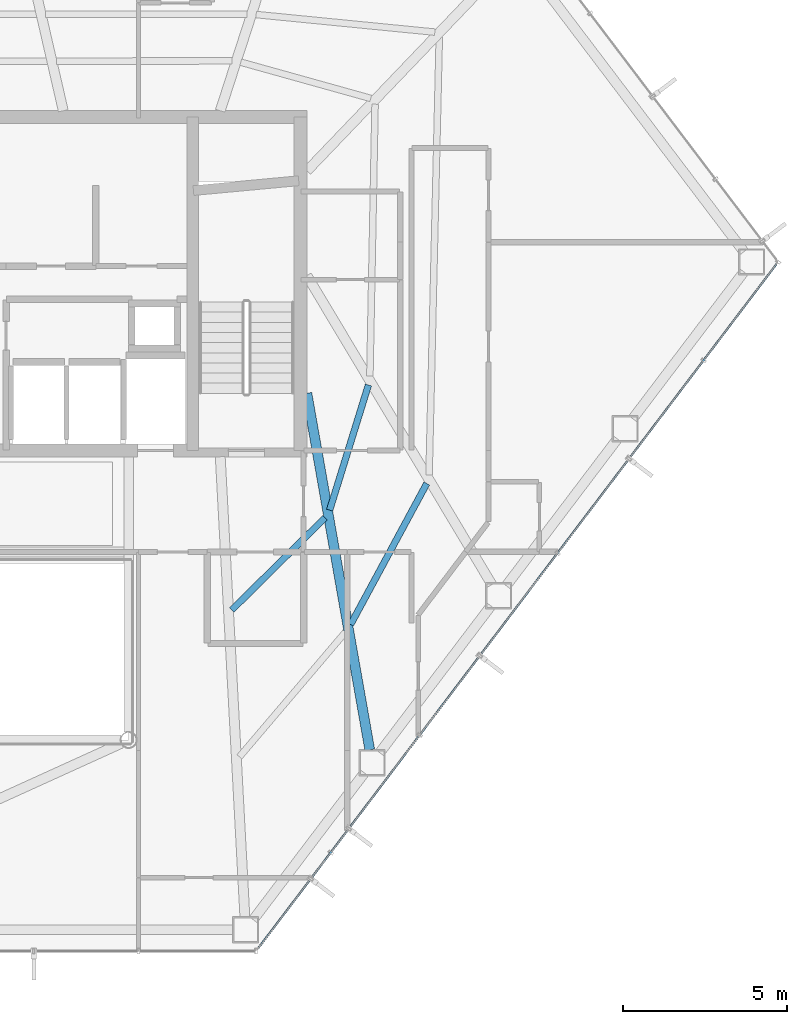
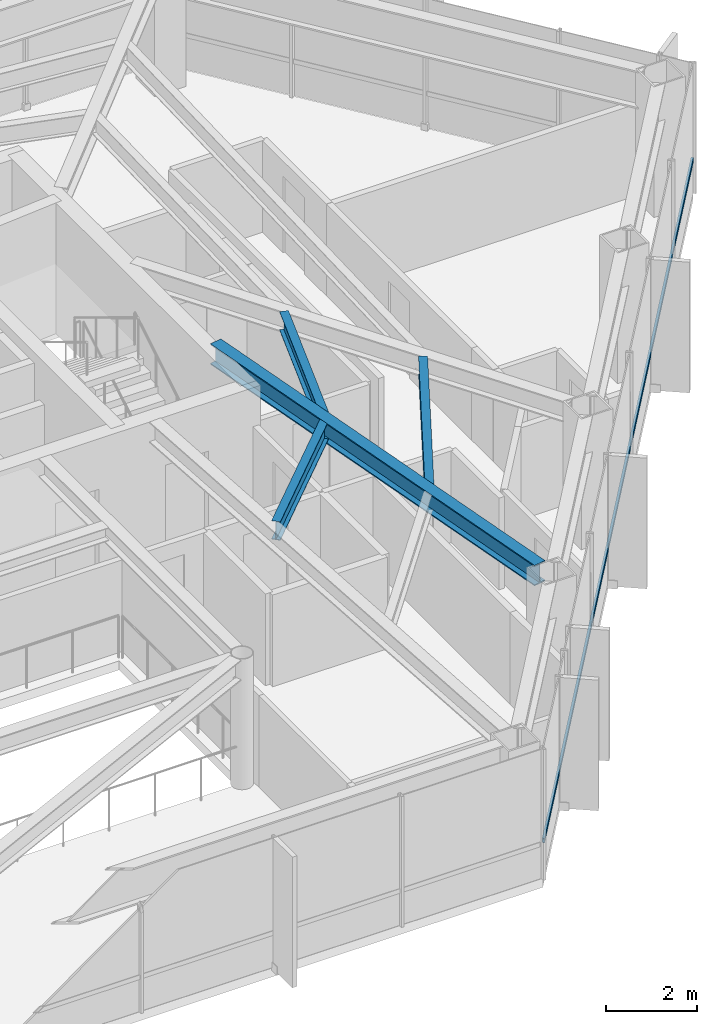
# One storey, part 18 of 29: 4 beams, 1 member, 1 element without a shape of its own.
"""IFC4 building model written with IfcOpenShell, lengths in metres."""

from ifc_helpers import new_model, si_unit, direction, frame, origin, origin_2d, place, context, subcontext, project, spatial, hollow_rectangle, i_section, extrude, material, layer, layer_set, material_profile, profile_set, type_object, element, aggregate, save


model = new_model("IFC4")

# Units and contexts
model_context = context("Model", 3, precision=1e-05, world=origin(), true_north=direction((0.0, 1.0)))
body_context = subcontext(model_context, "Body", "Model", "MODEL_VIEW")
ifc_project = project(units=[si_unit("LENGTHUNIT", "METRE"), si_unit("AREAUNIT", "SQUARE_METRE"), si_unit("VOLUMEUNIT", "CUBIC_METRE"), si_unit("PLANEANGLEUNIT", "RADIAN"), si_unit("MASSUNIT", "GRAM", prefix="KILO")], contexts=[model_context])

# Site, building, storey
site_placement = place(None, origin())
site = spatial("IfcSite", under=ifc_project, at=site_placement, CompositionType="ELEMENT")
building_placement = place(site_placement, origin())
building = spatial("IfcBuilding", under=site, at=building_placement, Name="Zarrinselat Tower", CompositionType="ELEMENT")
storey_placement = place(building_placement, frame((0.0, 0.0, 134.639892578125)))
storey = spatial("IfcBuildingStorey", under=building, at=storey_placement, Name="L32", CompositionType="ELEMENT", Elevation=134.639892578125)

# Beams
ifc_material_1 = material(Name="Steel S355J2", Category="steel")
ifc_material_profile_1 = material_profile(ifc_material_1, i_section(OverallWidth=0.300048828125, OverallDepth=0.550048828125, WebThickness=0.014892578125, FlangeThickness=0.029052734375, at=origin_2d()), Name="HEB 550")
ifc_profile_set_1 = profile_set([ifc_material_profile_1], Name="Steel S355J2")
beam_type_1 = type_object("IfcBeamType", Name="BM-HEB550", PredefinedType="BEAM", material=ifc_profile_set_1)
beam_1_placement = place(storey_placement, frame((48.449951171875, 35.0, 3.22509765625), z_axis=(0.173650716, -0.984807305432, 0.0), x_axis=(0.984807305432, 0.173650716, 0.0)))
element("IfcBeam", 1, at=beam_1_placement, inside=storey, type_object=beam_type_1, Name="L32 Radial Primary Girder RG12", PredefinedType="BEAM", context=body_context, shape_type="SweptSolid", body=[
    extrude(i_section(OverallWidth=0.300048828125, OverallDepth=0.550048828125, WebThickness=0.014892578125, FlangeThickness=0.029052734375, at=origin_2d()), origin(), (0.0, 0.0, 1.0), 11.0703125),
])
ifc_material_2 = material(Name="Steel S355J2", Category="steel")
ifc_material_profile_2 = material_profile(ifc_material_2, i_section(OverallWidth=0.199951171875, OverallDepth=0.5, WebThickness=0.01025390625, FlangeThickness=0.01611328125, at=origin_2d()), Name="IPE 500")
ifc_profile_set_2 = profile_set([ifc_material_profile_2], Name="Steel S355J2")
beam_type_2 = type_object("IfcBeamType", Name="BM-IPE500", PredefinedType="JOIST", material=ifc_profile_set_2)
beam_2_placement = place(storey_placement, frame((46.155517578125, 28.377197265625, 3.25), z_axis=(0.710935301088, 0.703257419205, 0.0), x_axis=(-0.703257419205, 0.710935301088, 0.0)))
element("IfcBeam", 2, at=beam_2_placement, inside=storey, type_object=beam_type_2, Name="L32 Composite Floor Joist 3-2", PredefinedType="JOIST", context=body_context, shape_type="SweptSolid", body=[
    extrude(i_section(OverallWidth=0.199951171875, OverallDepth=0.5, WebThickness=0.01025390625, FlangeThickness=0.01611328125, at=origin_2d()), origin(), (0.0, 0.0, 1.0), 4.006591796875),
])
beam_3_placement = place(storey_placement, frame((49.78515625, 27.927734375, 3.25), z_axis=(0.475195177773, 0.879880414046, 0.0), x_axis=(-0.879880414046, 0.475195177773, 0.0)))
element("IfcBeam", 3, at=beam_3_placement, inside=storey, type_object=beam_type_2, Name="L32 Composite Floor Joist 4-1", PredefinedType="JOIST", context=body_context, shape_type="SweptSolid", body=[
    extrude(i_section(OverallWidth=0.199951171875, OverallDepth=0.5, WebThickness=0.01025390625, FlangeThickness=0.01611328125, at=origin_2d()), origin(), (0.0, 0.0, 1.0), 4.90283203125),
])
beam_4_placement = place(storey_placement, frame((49.14501953125, 31.427001953125, 3.25), z_axis=(0.295956453214, 0.955201433103, 0.0), x_axis=(-0.955201433103, 0.295956453214, 0.0)))
element("IfcBeam", 4, at=beam_4_placement, inside=storey, type_object=beam_type_2, Name="L32 Composite Floor Joist 4-2", PredefinedType="JOIST", context=body_context, shape_type="SweptSolid", body=[
    extrude(i_section(OverallWidth=0.199951171875, OverallDepth=0.5, WebThickness=0.01025390625, FlangeThickness=0.01611328125, at=origin_2d()), origin(), (0.0, 0.0, 1.0), 4.006591796875),
])

# Curtain wall, member
ifc_material_3 = material(Name="Extruded Aluminium Alloy EN AW-6063 T6", Category="aluminium")
ifc_layer = layer(ifc_material_3, 0.175048828125)
ifc_layer_set = layer_set([ifc_layer], Name="Extruded Aluminium Alloy EN AW-6063 T6")
curtain_wall_type = type_object("IfcCurtainWallType", Name="CWS-HTL", PredefinedType="NOTDEFINED", material=ifc_layer_set)
curtain_wall_placement = place(storey_placement, origin())
curtain_wall = element("IfcCurtainWall", 5, at=curtain_wall_placement, inside=storey, type_object=curtain_wall_type, Name="L32 Unitised Curtain Wall CW-L32-E05", PredefinedType="NOTDEFINED")
ifc_material_4 = material(Name="Extruded Aluminium Alloy EN AW-6063 T6", Category="aluminium")
ifc_material_profile_3 = material_profile(ifc_material_4, hollow_rectangle(XDim=0.06005859375, YDim=0.1201171875, WallThickness=0.00390625, at=origin_2d()), Name="RHS 120x60x4")
ifc_profile_set_3 = profile_set([ifc_material_profile_3], Name="Extruded Aluminium Alloy EN AW-6063 T6")
member_type = type_object("IfcMemberType", Name="MEM-CW-TRN2", PredefinedType="USERDEFINED", material=ifc_profile_set_3)
member_placement = place(storey_placement, frame((46.951171875, 18.017578125, 0.9501953125), z_axis=(0.603856255958, 0.797093233029, 0.0), x_axis=(-0.797093233029, 0.603856255958, 0.0)))
member = element("IfcMember", 6, at=member_placement, type_object=member_type, Name="CW-L32-E05 Transom 1", ObjectType="TRANSOM", PredefinedType="USERDEFINED", context=body_context, shape_type="SweptSolid", body=[
    extrude(hollow_rectangle(XDim=0.06005859375, YDim=0.1201171875, WallThickness=0.00390625, at=origin_2d()), origin(), (0.0, 0.0, 1.0), 26.259033203125),
])
aggregate(curtain_wall, [member])

save(model, "model.ifc")
